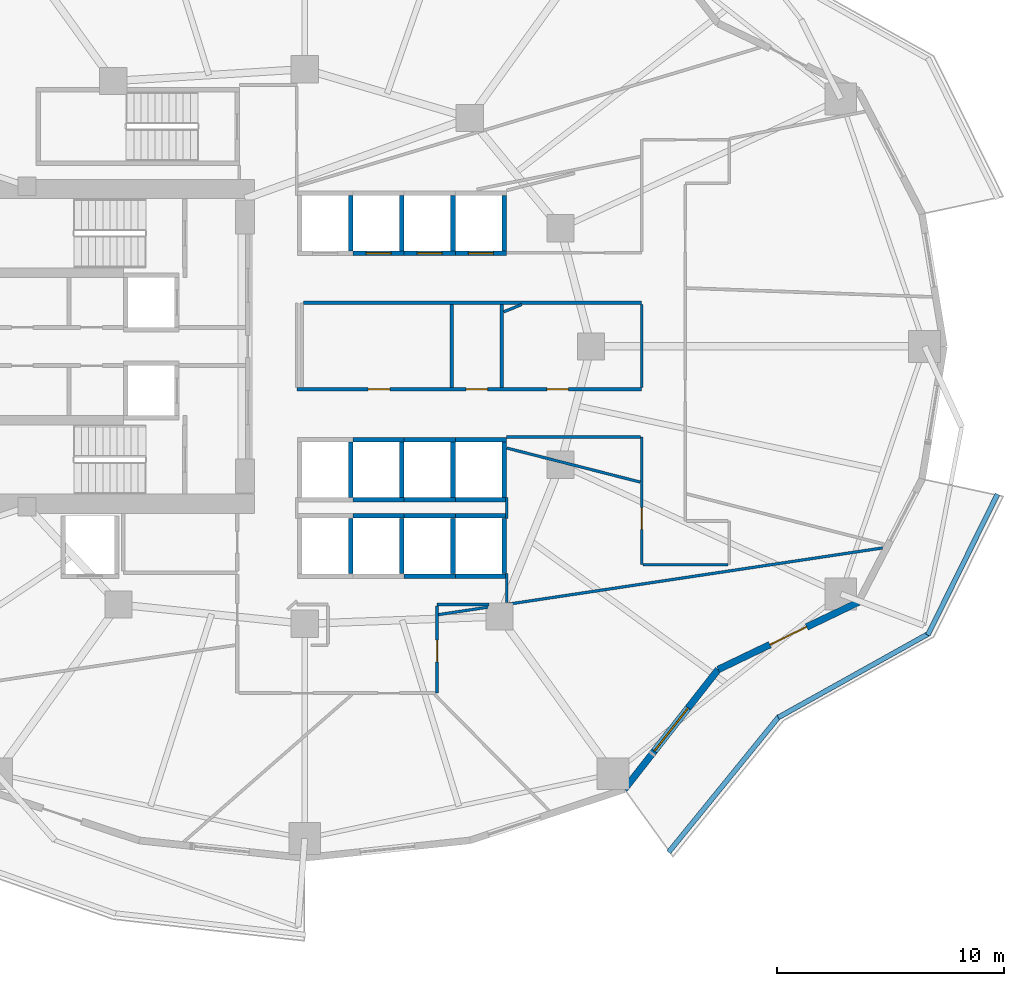
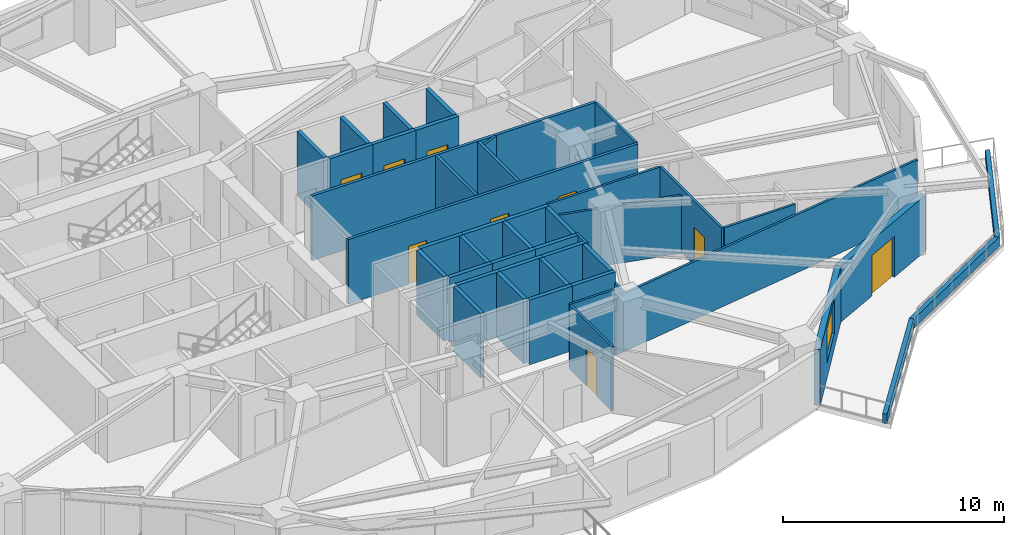
# One storey, part 8 of 14: 47 walls, 9 doors, 1 window, 10 openings.
"""IFC4 building model written with IfcOpenShell, lengths in metres."""

from ifc_helpers import new_model, si_unit, direction, frame, frame_2d, origin, place, context, subcontext, project, spatial, rectangle, extrude, material, layer, layer_set, type_object, element, fill, save


model = new_model("IFC4")

# Units and contexts
model_context = context("Model", 3, precision=1e-05, world=origin(), true_north=direction((0.0, 1.0)))
body_context = subcontext(model_context, "Body", "Model", "MODEL_VIEW")
ifc_project = project(units=[si_unit("LENGTHUNIT", "METRE"), si_unit("AREAUNIT", "SQUARE_METRE"), si_unit("VOLUMEUNIT", "CUBIC_METRE"), si_unit("PLANEANGLEUNIT", "RADIAN"), si_unit("MASSUNIT", "GRAM", prefix="KILO")], contexts=[model_context])

# Site, building, storey
site_placement = place(None, origin())
site = spatial("IfcSite", under=ifc_project, at=site_placement, CompositionType="ELEMENT")
building_placement = place(site_placement, origin())
building = spatial("IfcBuilding", under=site, at=building_placement, Name="Kolvaren Gate Tower and Convention Centre", CompositionType="ELEMENT")
storey_placement = place(building_placement, frame((0.0, 0.0, 45.75)))
storey = spatial("IfcBuildingStorey", under=building, at=storey_placement, Name="L10", CompositionType="ELEMENT", Elevation=45.75)

# Wall
ifc_material_1 = material(Name="Fire-Rated Acoustic Gypsum Stud Partition", Category="gypsum")
ifc_layer_1 = layer(ifc_material_1, 0.1201171875)
ifc_layer_set_1 = layer_set([ifc_layer_1], Name="Fire-Rated Acoustic Gypsum Stud Partition")
wall_type_1 = type_object("IfcWallType", Name="ARCH-WL-PART-120", PredefinedType="PARTITIONING", material=ifc_layer_set_1)
wall_1_placement = place(storey_placement, frame((35.949951171875, 15.64990234375, 0.0), z_axis=(0.0, 0.0, 1.0), x_axis=(1.0, 0.0, 0.0)))
element("IfcWall", 1, at=wall_1_placement, inside=storey, type_object=wall_type_1, Name="Interior Partition WL-L10-INT-018", PredefinedType="PARTITIONING", context=body_context, shape_type="SweptSolid", body=[
    extrude(rectangle(XDim=2.291015625, YDim=0.1201171875, at=frame_2d((1.1455078125, 0.0))), origin(), (0.0, 0.0, 1.0), 3.570068359375),
])

# Wall, opening, door
wall_2_placement = place(storey_placement, frame((35.949951171875, 11.75, 0.0), z_axis=(0.0, 0.0, 1.0), x_axis=(0.0, 1.0, 0.0)))
wall_2 = element("IfcWall", 2, at=wall_2_placement, inside=storey, type_object=wall_type_1, Name="Interior Partition WL-L10-INT-019", PredefinedType="PARTITIONING", context=body_context, shape_type="SweptSolid", body=[
    extrude(rectangle(XDim=3.837890625, YDim=0.1201171875, at=frame_2d((1.9189453125, 0.0))), origin(), (0.0, 0.0, 1.0), 3.570068359375),
])
opening_1_placement = place(wall_2_placement, frame((1.376220703125, 0.0, 0.0)))
opening_1 = element("IfcOpeningElement", 3, at=opening_1_placement, cuts=wall_2, Name="Opening DR-01", PredefinedType="OPENING", context=body_context, shape_type="SweptSolid", body=[
    extrude(rectangle(XDim=0.949951171875, YDim=2.10009765625, at=frame_2d((0.47509765625, 1.050048828125))), frame((0.0, 0.070068359375, 0.0), z_axis=(0.0, -1.0, 0.0), x_axis=(1.0, 0.0, 0.0)), (0.0, 0.0, 1.0), 0.14013671875),
])
ifc_material_2 = material(Name="Painted Architectural Steelwork ASTM A500 Grade C 345 MPa", Category="steel")
door_type_1 = type_object("IfcDoorType", Name="ARCH-DR-RISER-950", OperationType="SINGLE_SWING_RIGHT", PredefinedType="DOOR", material=ifc_material_2)
door_1_placement = place(opening_1_placement, origin())
door_1 = element("IfcDoor", 4, at=door_1_placement, inside=storey, type_object=door_type_1, Name="Staff Dining and Bistro Cafe Door", OperationType="SINGLE_SWING_LEFT", OverallHeight=2.10009765625, OverallWidth=0.949951171875, PredefinedType="DOOR", context=body_context, shape_type="SweptSolid", body=[
    extrude(rectangle(XDim=0.949951171875, YDim=2.10009765625, at=frame_2d((0.47509765625, 1.050048828125))), frame((0.0, 0.02490234375, 0.0), z_axis=(0.0, -1.0, 0.0), x_axis=(1.0, 0.0, 0.0)), (0.0, 0.0, 1.0), 0.050048828125),
])
fill(opening_1, door_1)

wall_3_placement = place(storey_placement, frame((44.949951171875, 17.39990234375, 0.0), z_axis=(0.0, 0.0, 1.0), x_axis=(0.0, 1.0, 0.0)))
wall_3 = element("IfcWall", 5, at=wall_3_placement, inside=storey, type_object=wall_type_1, Name="Interior Partition WL-L10-INT-027", PredefinedType="PARTITIONING", context=body_context, shape_type="SweptSolid", body=[
    extrude(rectangle(XDim=5.6201171875, YDim=0.1201171875, at=frame_2d((2.81005859375, 0.0))), origin(), (0.0, 0.0, 1.0), 3.570068359375),
])
opening_2_placement = place(wall_3_placement, frame((1.5546875, 0.0, 0.0)))
opening_2 = element("IfcOpeningElement", 6, at=opening_2_placement, cuts=wall_3, Name="Opening DR-01", PredefinedType="OPENING", context=body_context, shape_type="SweptSolid", body=[
    extrude(rectangle(XDim=0.949951171875, YDim=2.10009765625, at=frame_2d((0.47509765625, 1.050048828125))), frame((0.0, 0.070068359375, 0.0), z_axis=(0.0, -1.0, 0.0), x_axis=(1.0, 0.0, 0.0)), (0.0, 0.0, 1.0), 0.14013671875),
])
door_2_placement = place(opening_2_placement, origin())
door_2 = element("IfcDoor", 7, at=door_2_placement, inside=storey, type_object=door_type_1, Name="Project Review Meeting Room Door", OperationType="SINGLE_SWING_RIGHT", OverallHeight=2.10009765625, OverallWidth=0.949951171875, PredefinedType="DOOR", context=body_context, shape_type="SweptSolid", body=[
    extrude(rectangle(XDim=0.949951171875, YDim=2.10009765625, at=frame_2d((0.47509765625, 1.050048828125))), frame((0.0, 0.02490234375, 0.0), z_axis=(0.0, -1.0, 0.0), x_axis=(1.0, 0.0, 0.0)), (0.0, 0.0, 1.0), 0.050048828125),
])
fill(opening_2, door_2)

# Walls
wall_4_placement = place(storey_placement, frame((44.949951171875, 25.197021484375, 0.0), z_axis=(0.0, 0.0, 1.0), x_axis=(0.0, 1.0, 0.0)))
element("IfcWall", 8, at=wall_4_placement, inside=storey, type_object=wall_type_1, Name="Interior Partition WL-L10-INT-028", PredefinedType="PARTITIONING", context=body_context, shape_type="SweptSolid", body=[
    extrude(rectangle(XDim=3.64599609375, YDim=0.1201171875, at=frame_2d((1.822998046875, 0.0))), origin(), (0.0, 0.0, 1.0), 3.570068359375),
])
wall_5_placement = place(storey_placement, frame((45.011962890625, 17.39990234375, 0.0), z_axis=(0.0, 0.0, 1.0), x_axis=(1.0, 0.0, 0.0)))
element("IfcWall", 9, at=wall_5_placement, inside=storey, type_object=wall_type_1, Name="Interior Partition WL-L10-INT-036", PredefinedType="PARTITIONING", context=body_context, shape_type="SweptSolid", body=[
    extrude(rectangle(XDim=3.72607421875, YDim=0.1201171875, at=frame_2d((1.863037109375, 0.0))), origin(), (0.0, 0.0, 1.0), 3.570068359375),
])
wall_6_placement = place(storey_placement, frame((39.0, 23.02001953125, 0.0), z_axis=(0.0, 0.0, 1.0), x_axis=(1.0, 0.0, 0.0)))
element("IfcWall", 10, at=wall_6_placement, inside=storey, type_object=wall_type_1, Name="Interior Partition WL-L10-INT-037", PredefinedType="PARTITIONING", context=body_context, shape_type="SweptSolid", body=[
    extrude(rectangle(XDim=5.887939453125, YDim=0.1201171875, at=frame_2d((2.94384765625, 0.0))), origin(), (0.0, 0.0, 1.0), 3.570068359375),
])
wall_7_placement = place(storey_placement, frame((39.02001953125, 15.741943359375, 0.0), z_axis=(0.0, 0.0, 1.0), x_axis=(0.0, 1.0, 0.0)))
element("IfcWall", 11, at=wall_7_placement, inside=storey, type_object=wall_type_1, Name="Interior Partition WL-L10-INT-038", PredefinedType="PARTITIONING", context=body_context, shape_type="SweptSolid", body=[
    extrude(rectangle(XDim=1.26806640625, YDim=0.1201171875, at=frame_2d((0.634033203125, 0.0))), origin(), (0.0, 0.0, 1.0), 2.93408203125),
])
wall_8_placement = place(storey_placement, frame((39.02001953125, 19.43994140625, 0.0), z_axis=(0.0, 0.0, 1.0), x_axis=(0.0, 1.0, 0.0)))
element("IfcWall", 12, at=wall_8_placement, inside=storey, type_object=wall_type_1, Name="Interior Partition WL-L10-INT-038 (2)", PredefinedType="PARTITIONING", context=body_context, shape_type="SweptSolid", body=[
    extrude(rectangle(XDim=0.920166015625, YDim=0.1201171875, at=frame_2d((0.4599609375, 0.0))), origin(), (0.0, 0.0, 1.0), 3.570068359375),
])
wall_9_placement = place(storey_placement, frame((39.015380859375, 22.53076171875, 0.0), z_axis=(0.0, 0.0, 1.0), x_axis=(0.968999219603, -0.247063782066, 0.0)))
element("IfcWall", 13, at=wall_9_placement, inside=storey, type_object=wall_type_1, Name="Interior Partition WL-L10-INT-046", PredefinedType="PARTITIONING", context=body_context, shape_type="SweptSolid", body=[
    extrude(rectangle(XDim=6.060546875, YDim=0.1201171875, at=frame_2d((3.0302734375, 0.0))), origin(), (0.0, 0.0, 1.0), 3.205078125),
])
wall_10_placement = place(storey_placement, frame((36.011962890625, 15.201904296875, 0.0), z_axis=(0.0, 0.0, 1.0), x_axis=(0.988905340033, 0.148547058049, 0.0)))
element("IfcWall", 14, at=wall_10_placement, inside=storey, type_object=wall_type_1, Name="Interior Partition WL-L10-INT-049", PredefinedType="PARTITIONING", context=body_context, shape_type="SweptSolid", body=[
    extrude(rectangle(XDim=2.19580078125, YDim=0.1201171875, at=frame_2d((1.097900390625, 0.0))), origin(), (0.0, 0.0, 1.0), 2.93408203125),
])
wall_11_placement = place(storey_placement, frame((38.240966796875, 15.53662109375, 0.0), z_axis=(0.0, 0.0, 1.0), x_axis=(0.988910037188, 0.148515784849, 0.0)))
element("IfcWall", 15, at=wall_11_placement, inside=storey, type_object=wall_type_1, Name="Interior Partition WL-L10-INT-049 (2)", PredefinedType="PARTITIONING", context=body_context, shape_type="SweptSolid", body=[
    extrude(rectangle(XDim=17.4990234375, YDim=0.1201171875, at=frame_2d((8.74951171875, 0.0))), origin(), (0.0, 0.0, 1.0), 3.205078125),
])
wall_12_placement = place(storey_placement, frame((38.876953125, 28.522216796875, 0.0), z_axis=(0.0, 0.0, 1.0), x_axis=(0.927133255937, 0.374731805076, 0.0)))
element("IfcWall", 16, at=wall_12_placement, inside=storey, type_object=wall_type_1, Name="Interior Partition WL-L10-INT-053", PredefinedType="PARTITIONING", context=body_context, shape_type="SweptSolid", body=[
    extrude(rectangle(XDim=0.856201171875, YDim=0.1201171875, at=frame_2d((0.42822265625, 0.0))), origin(), (0.0, 0.0, 1.0), 3.570068359375),
])
ifc_material_3 = material(Name="Piedmont Cream Honed Limestone Cladding", Category="masonry")
ifc_layer_2 = layer(ifc_material_3, 0.219970703125)
ifc_layer_set_2 = layer_set([ifc_layer_2], Name="Piedmont Cream Honed Limestone Cladding")
wall_type_2 = type_object("IfcWallType", Name="ARCH-WL-PLANTER-220", PredefinedType="PARAPET", material=ifc_layer_set_2)
wall_13_placement = place(storey_placement, frame((46.1357421875, 4.748779296875, 0.0), z_axis=(0.0, 0.0, 1.0), x_axis=(0.630997450658, 0.775784903993, 0.0)))
element("IfcWall", 17, at=wall_13_placement, inside=storey, type_object=wall_type_2, Name="Vertical-Forest Balcony Stone Planter Kerb PK-L10-4.1", PredefinedType="PARAPET", context=body_context, shape_type="SweptSolid", body=[
    extrude(rectangle(XDim=7.7177734375, YDim=0.219970703125, at=frame_2d((3.85888671875, 0.0))), origin(), (0.0, 0.0, 1.0), 0.52001953125),
])
wall_14_placement = place(storey_placement, frame((50.959228515625, 10.677978515625, 0.0), z_axis=(0.0, 0.0, 1.0), x_axis=(0.873500119739, 0.48682393205, 0.0)))
element("IfcWall", 18, at=wall_14_placement, inside=storey, type_object=wall_type_2, Name="Vertical-Forest Balcony Stone Planter Kerb PK-L10-4.2", PredefinedType="PARAPET", context=body_context, shape_type="SweptSolid", body=[
    extrude(rectangle(XDim=7.56201171875, YDim=0.219970703125, at=frame_2d((3.781005859375, 0.0))), origin(), (0.0, 0.0, 1.0), 0.52001953125),
])
wall_15_placement = place(storey_placement, frame((57.538818359375, 14.303466796875, 0.0), z_axis=(0.0, 0.0, 1.0), x_axis=(0.443578479433, 0.8962355341, 0.0)))
element("IfcWall", 19, at=wall_15_placement, inside=storey, type_object=wall_type_2, Name="Vertical-Forest Balcony Stone Planter Kerb PK-L10-4.3", PredefinedType="PARAPET", context=body_context, shape_type="SweptSolid", body=[
    extrude(rectangle(XDim=6.9111328125, YDim=0.219970703125, at=frame_2d((3.45556640625, 0.0))), origin(), (0.0, 0.0, 1.0), 0.52001953125),
])
ifc_material_4 = material(Name="Autoclaved Aerated Masonry Blockwork Class 4 (4.0 MPa)", Category="masonry")
ifc_layer_3 = layer(ifc_material_4, 0.199951171875)
ifc_layer_set_3 = layer_set([ifc_layer_3], Name="Autoclaved Aerated Masonry Blockwork Class 4 (4.0 MPa)")
wall_type_3 = type_object("IfcWallType", Name="ARCH-WL-SHAFT-200", PredefinedType="SOLIDWALL", material=ifc_layer_set_3)
wall_16_placement = place(storey_placement, frame((32.14990234375, 31.2099609375, 0.0), z_axis=(0.0, 0.0, 1.0), x_axis=(0.0, 1.0, 0.0)))
element("IfcWall", 20, at=wall_16_placement, inside=storey, type_object=wall_type_3, Name="Elevator PL-01 L10 Fire Shaft Wall E", PredefinedType="SOLIDWALL", context=body_context, shape_type="SweptSolid", body=[
    extrude(rectangle(XDim=2.429931640625, YDim=0.199951171875, at=frame_2d((1.21484375, 0.0))), origin(), (0.0, 0.0, 1.0), 3.570068359375),
])

# Wall, opening, door
wall_17_placement = place(storey_placement, frame((32.25, 31.10009765625, 0.0), z_axis=(0.0, 0.0, 1.0), x_axis=(1.0, 0.0, 0.0)))
wall_17 = element("IfcWall", 21, at=wall_17_placement, inside=storey, type_object=wall_type_3, Name="Elevator PL-02 L10 Fire Shaft Wall S", PredefinedType="SOLIDWALL", context=body_context, shape_type="SweptSolid", body=[
    extrude(rectangle(XDim=2.25, YDim=0.199951171875, at=frame_2d((1.125, 0.0))), origin(), (0.0, 0.0, 1.0), 3.570068359375),
])
opening_3_placement = place(wall_17_placement, frame((0.574951171875, 0.0, 0.0)))
opening_3 = element("IfcOpeningElement", 22, at=opening_3_placement, cuts=wall_17, Name="Opening LD", PredefinedType="OPENING", context=body_context, shape_type="SweptSolid", body=[
    extrude(rectangle(XDim=1.10009765625, YDim=2.199951171875, at=frame_2d((0.550048828125, 1.10009765625))), frame((0.0, 0.10986328125, 0.0), z_axis=(0.0, -1.0, 0.0), x_axis=(1.0, 0.0, 0.0)), (0.0, 0.0, 1.0), 0.219970703125),
])
ifc_material_5 = material(Name="Brushed Stainless Steel Grade 316L", Category="steel")
door_type_2 = type_object("IfcDoorType", Name="ARCH-DR-LIFT-1100", OperationType="SLIDING_TO_LEFT", PredefinedType="DOOR", material=ifc_material_5)
door_3_placement = place(opening_3_placement, origin())
door_3 = element("IfcDoor", 23, at=door_3_placement, inside=storey, type_object=door_type_2, Name="Elevator PL-02 L10 Sliding Landing Door", OperationType="SLIDING_TO_LEFT", OverallHeight=2.199951171875, OverallWidth=1.10009765625, PredefinedType="DOOR", context=body_context, shape_type="SweptSolid", body=[
    extrude(rectangle(XDim=1.10009765625, YDim=2.199951171875, at=frame_2d((0.550048828125, 1.10009765625))), frame((0.0, 0.02490234375, 0.0), z_axis=(0.0, -1.0, 0.0), x_axis=(1.0, 0.0, 0.0)), (0.0, 0.0, 1.0), 0.050048828125),
])
fill(opening_3, door_3)

# Wall
wall_18_placement = place(storey_placement, frame((34.39990234375, 31.2099609375, 0.0), z_axis=(0.0, 0.0, 1.0), x_axis=(0.0, 1.0, 0.0)))
element("IfcWall", 24, at=wall_18_placement, inside=storey, type_object=wall_type_3, Name="Elevator PL-02 L10 Fire Shaft Wall E", PredefinedType="SOLIDWALL", context=body_context, shape_type="SweptSolid", body=[
    extrude(rectangle(XDim=2.429931640625, YDim=0.199951171875, at=frame_2d((1.21484375, 0.0))), origin(), (0.0, 0.0, 1.0), 3.570068359375),
])

# Wall, opening, door
wall_19_placement = place(storey_placement, frame((34.5, 31.10009765625, 0.0), z_axis=(0.0, 0.0, 1.0), x_axis=(1.0, 0.0, 0.0)))
wall_19 = element("IfcWall", 25, at=wall_19_placement, inside=storey, type_object=wall_type_3, Name="Elevator PL-03 L10 Fire Shaft Wall S", PredefinedType="SOLIDWALL", context=body_context, shape_type="SweptSolid", body=[
    extrude(rectangle(XDim=2.25, YDim=0.199951171875, at=frame_2d((1.125, 0.0))), origin(), (0.0, 0.0, 1.0), 3.570068359375),
])
opening_4_placement = place(wall_19_placement, frame((0.574951171875, 0.0, 0.0)))
opening_4 = element("IfcOpeningElement", 26, at=opening_4_placement, cuts=wall_19, Name="Opening LD", PredefinedType="OPENING", context=body_context, shape_type="SweptSolid", body=[
    extrude(rectangle(XDim=1.10009765625, YDim=2.199951171875, at=frame_2d((0.550048828125, 1.10009765625))), frame((0.0, 0.10986328125, 0.0), z_axis=(0.0, -1.0, 0.0), x_axis=(1.0, 0.0, 0.0)), (0.0, 0.0, 1.0), 0.219970703125),
])
door_4_placement = place(opening_4_placement, origin())
door_4 = element("IfcDoor", 27, at=door_4_placement, inside=storey, type_object=door_type_2, Name="Elevator PL-03 L10 Sliding Landing Door", OperationType="SLIDING_TO_LEFT", OverallHeight=2.199951171875, OverallWidth=1.10009765625, PredefinedType="DOOR", context=body_context, shape_type="SweptSolid", body=[
    extrude(rectangle(XDim=1.10009765625, YDim=2.199951171875, at=frame_2d((0.550048828125, 1.10009765625))), frame((0.0, 0.02490234375, 0.0), z_axis=(0.0, -1.0, 0.0), x_axis=(1.0, 0.0, 0.0)), (0.0, 0.0, 1.0), 0.050048828125),
])
fill(opening_4, door_4)

# Wall
wall_20_placement = place(storey_placement, frame((36.64990234375, 31.2099609375, 0.0), z_axis=(0.0, 0.0, 1.0), x_axis=(0.0, 1.0, 0.0)))
element("IfcWall", 28, at=wall_20_placement, inside=storey, type_object=wall_type_3, Name="Elevator PL-03 L10 Fire Shaft Wall E", PredefinedType="SOLIDWALL", context=body_context, shape_type="SweptSolid", body=[
    extrude(rectangle(XDim=2.429931640625, YDim=0.199951171875, at=frame_2d((1.21484375, 0.0))), origin(), (0.0, 0.0, 1.0), 3.570068359375),
])

# Wall, opening, door
wall_21_placement = place(storey_placement, frame((36.75, 31.10009765625, 0.0), z_axis=(0.0, 0.0, 1.0), x_axis=(1.0, 0.0, 0.0)))
wall_21 = element("IfcWall", 29, at=wall_21_placement, inside=storey, type_object=wall_type_3, Name="Elevator PL-04 L10 Fire Shaft Wall S", PredefinedType="SOLIDWALL", context=body_context, shape_type="SweptSolid", body=[
    extrude(rectangle(XDim=2.25, YDim=0.199951171875, at=frame_2d((1.125, 0.0))), origin(), (0.0, 0.0, 1.0), 3.570068359375),
])
opening_5_placement = place(wall_21_placement, frame((0.574951171875, 0.0, 0.0)))
opening_5 = element("IfcOpeningElement", 30, at=opening_5_placement, cuts=wall_21, Name="Opening LD", PredefinedType="OPENING", context=body_context, shape_type="SweptSolid", body=[
    extrude(rectangle(XDim=1.10009765625, YDim=2.199951171875, at=frame_2d((0.550048828125, 1.10009765625))), frame((0.0, 0.10986328125, 0.0), z_axis=(0.0, -1.0, 0.0), x_axis=(1.0, 0.0, 0.0)), (0.0, 0.0, 1.0), 0.219970703125),
])
door_5_placement = place(opening_5_placement, origin())
door_5 = element("IfcDoor", 31, at=door_5_placement, inside=storey, type_object=door_type_2, Name="Elevator PL-04 L10 Sliding Landing Door", OperationType="SLIDING_TO_LEFT", OverallHeight=2.199951171875, OverallWidth=1.10009765625, PredefinedType="DOOR", context=body_context, shape_type="SweptSolid", body=[
    extrude(rectangle(XDim=1.10009765625, YDim=2.199951171875, at=frame_2d((0.550048828125, 1.10009765625))), frame((0.0, 0.02490234375, 0.0), z_axis=(0.0, -1.0, 0.0), x_axis=(1.0, 0.0, 0.0)), (0.0, 0.0, 1.0), 0.050048828125),
])
fill(opening_5, door_5)

# Walls
for number, where, z_axis, x_axis, name in (
    (32, (38.89990234375, 31.2099609375, 0.0), (0.0, 0.0, 1.0), (0.0, 1.0, 0.0), "Elevator PL-04 L10 Fire Shaft Wall E"),
    (33, (32.14990234375, 17.010009765625, 0.0), (0.0, 0.0, 1.0), (0.0, 1.0, 0.0), "Elevator PL-05 L10 Fire Shaft Wall E"),
):
    element("IfcWall", number, at=place(storey_placement, frame(where, z_axis=z_axis, x_axis=x_axis)), inside=storey, type_object=wall_type_3, Name=name, PredefinedType="SOLIDWALL", context=body_context, shape_type="SweptSolid", body=[
        extrude(rectangle(XDim=2.429931640625, YDim=0.199951171875, at=frame_2d((1.21484375, 0.0))), origin(), (0.0, 0.0, 1.0), 3.570068359375),
    ])
wall_22_placement = place(storey_placement, frame((32.25, 19.550048828125, 0.0), z_axis=(0.0, 0.0, 1.0), x_axis=(1.0, 0.0, 0.0)))
element("IfcWall", 34, at=wall_22_placement, inside=storey, type_object=wall_type_3, Name="Elevator PL-06 L10 Fire Shaft Wall N", PredefinedType="SOLIDWALL", context=body_context, shape_type="SweptSolid", body=[
    extrude(rectangle(XDim=2.25, YDim=0.199951171875, at=frame_2d((1.125, 0.0))), origin(), (0.0, 0.0, 1.0), 3.570068359375),
])
wall_23_placement = place(storey_placement, frame((34.39990234375, 17.010009765625, 0.0), z_axis=(0.0, 0.0, 1.0), x_axis=(0.0, 1.0, 0.0)))
element("IfcWall", 35, at=wall_23_placement, inside=storey, type_object=wall_type_3, Name="Elevator PL-06 L10 Fire Shaft Wall E", PredefinedType="SOLIDWALL", context=body_context, shape_type="SweptSolid", body=[
    extrude(rectangle(XDim=2.429931640625, YDim=0.199951171875, at=frame_2d((1.21484375, 0.0))), origin(), (0.0, 0.0, 1.0), 3.570068359375),
])
for number, where, z_axis, x_axis, name in (
    (36, (34.5, 19.550048828125, 0.0), (0.0, 0.0, 1.0), (1.0, 0.0, 0.0), "Elevator PL-07 L10 Fire Shaft Wall N"),
    (37, (34.5, 16.89990234375, 0.0), (0.0, 0.0, 1.0), (1.0, 0.0, 0.0), "Elevator PL-07 L10 Fire Shaft Wall S"),
):
    element("IfcWall", number, at=place(storey_placement, frame(where, z_axis=z_axis, x_axis=x_axis)), inside=storey, type_object=wall_type_3, Name=name, PredefinedType="SOLIDWALL", context=body_context, shape_type="SweptSolid", body=[
        extrude(rectangle(XDim=2.25, YDim=0.199951171875, at=frame_2d((1.125, 0.0))), origin(), (0.0, 0.0, 1.0), 3.570068359375),
    ])
wall_24_placement = place(storey_placement, frame((36.64990234375, 17.010009765625, 0.0), z_axis=(0.0, 0.0, 1.0), x_axis=(0.0, 1.0, 0.0)))
element("IfcWall", 38, at=wall_24_placement, inside=storey, type_object=wall_type_3, Name="Elevator PL-07 L10 Fire Shaft Wall E", PredefinedType="SOLIDWALL", context=body_context, shape_type="SweptSolid", body=[
    extrude(rectangle(XDim=2.429931640625, YDim=0.199951171875, at=frame_2d((1.21484375, 0.0))), origin(), (0.0, 0.0, 1.0), 3.570068359375),
])
for number, where, z_axis, x_axis, name in (
    (39, (36.75, 19.550048828125, 0.0), (0.0, 0.0, 1.0), (1.0, 0.0, 0.0), "Elevator PL-08 L10 Fire Shaft Wall N"),
    (40, (36.75, 16.89990234375, 0.0), (0.0, 0.0, 1.0), (1.0, 0.0, 0.0), "Elevator PL-08 L10 Fire Shaft Wall S"),
):
    element("IfcWall", number, at=place(storey_placement, frame(where, z_axis=z_axis, x_axis=x_axis)), inside=storey, type_object=wall_type_3, Name=name, PredefinedType="SOLIDWALL", context=body_context, shape_type="SweptSolid", body=[
        extrude(rectangle(XDim=2.25, YDim=0.199951171875, at=frame_2d((1.125, 0.0))), origin(), (0.0, 0.0, 1.0), 3.570068359375),
    ])
for number, where, z_axis, x_axis, name in (
    (41, (38.89990234375, 17.010009765625, 0.0), (0.0, 0.0, 1.0), (0.0, 1.0, 0.0), "Elevator PL-08 L10 Fire Shaft Wall E"),
    (42, (32.14990234375, 20.360107421875, 0.0), (0.0, 0.0, 1.0), (0.0, 1.0, 0.0), "Elevator PL-09 L10 Fire Shaft Wall E"),
):
    element("IfcWall", number, at=place(storey_placement, frame(where, z_axis=z_axis, x_axis=x_axis)), inside=storey, type_object=wall_type_3, Name=name, PredefinedType="SOLIDWALL", context=body_context, shape_type="SweptSolid", body=[
        extrude(rectangle(XDim=2.429931640625, YDim=0.199951171875, at=frame_2d((1.21484375, 0.0))), origin(), (0.0, 0.0, 1.0), 3.570068359375),
    ])
for number, where, z_axis, x_axis, name in (
    (43, (32.25, 22.89990234375, 0.0), (0.0, 0.0, 1.0), (1.0, 0.0, 0.0), "Elevator PL-10 L10 Fire Shaft Wall N"),
    (44, (32.25, 20.25, 0.0), (0.0, 0.0, 1.0), (1.0, 0.0, 0.0), "Elevator PL-10 L10 Fire Shaft Wall S"),
):
    element("IfcWall", number, at=place(storey_placement, frame(where, z_axis=z_axis, x_axis=x_axis)), inside=storey, type_object=wall_type_3, Name=name, PredefinedType="SOLIDWALL", context=body_context, shape_type="SweptSolid", body=[
        extrude(rectangle(XDim=2.25, YDim=0.199951171875, at=frame_2d((1.125, 0.0))), origin(), (0.0, 0.0, 1.0), 3.570068359375),
    ])
wall_25_placement = place(storey_placement, frame((34.39990234375, 20.360107421875, 0.0), z_axis=(0.0, 0.0, 1.0), x_axis=(0.0, 1.0, 0.0)))
element("IfcWall", 45, at=wall_25_placement, inside=storey, type_object=wall_type_3, Name="Elevator PL-10 L10 Fire Shaft Wall E", PredefinedType="SOLIDWALL", context=body_context, shape_type="SweptSolid", body=[
    extrude(rectangle(XDim=2.429931640625, YDim=0.199951171875, at=frame_2d((1.21484375, 0.0))), origin(), (0.0, 0.0, 1.0), 3.570068359375),
])
for number, where, z_axis, x_axis, name in (
    (46, (34.5, 22.89990234375, 0.0), (0.0, 0.0, 1.0), (1.0, 0.0, 0.0), "Elevator PL-11 L10 Fire Shaft Wall N"),
    (47, (34.5, 20.25, 0.0), (0.0, 0.0, 1.0), (1.0, 0.0, 0.0), "Elevator PL-11 L10 Fire Shaft Wall S"),
):
    element("IfcWall", number, at=place(storey_placement, frame(where, z_axis=z_axis, x_axis=x_axis)), inside=storey, type_object=wall_type_3, Name=name, PredefinedType="SOLIDWALL", context=body_context, shape_type="SweptSolid", body=[
        extrude(rectangle(XDim=2.25, YDim=0.199951171875, at=frame_2d((1.125, 0.0))), origin(), (0.0, 0.0, 1.0), 3.570068359375),
    ])
wall_26_placement = place(storey_placement, frame((36.64990234375, 20.360107421875, 0.0), z_axis=(0.0, 0.0, 1.0), x_axis=(0.0, 1.0, 0.0)))
element("IfcWall", 48, at=wall_26_placement, inside=storey, type_object=wall_type_3, Name="Elevator PL-11 L10 Fire Shaft Wall E", PredefinedType="SOLIDWALL", context=body_context, shape_type="SweptSolid", body=[
    extrude(rectangle(XDim=2.429931640625, YDim=0.199951171875, at=frame_2d((1.21484375, 0.0))), origin(), (0.0, 0.0, 1.0), 3.570068359375),
])
for number, where, z_axis, x_axis, name in (
    (49, (36.75, 22.89990234375, 0.0), (0.0, 0.0, 1.0), (1.0, 0.0, 0.0), "Elevator PL-12 L10 Fire Shaft Wall N"),
    (50, (36.75, 20.25, 0.0), (0.0, 0.0, 1.0), (1.0, 0.0, 0.0), "Elevator PL-12 L10 Fire Shaft Wall S"),
):
    element("IfcWall", number, at=place(storey_placement, frame(where, z_axis=z_axis, x_axis=x_axis)), inside=storey, type_object=wall_type_3, Name=name, PredefinedType="SOLIDWALL", context=body_context, shape_type="SweptSolid", body=[
        extrude(rectangle(XDim=2.25, YDim=0.199951171875, at=frame_2d((1.125, 0.0))), origin(), (0.0, 0.0, 1.0), 3.570068359375),
    ])
wall_27_placement = place(storey_placement, frame((38.89990234375, 20.360107421875, 0.0), z_axis=(0.0, 0.0, 1.0), x_axis=(0.0, 1.0, 0.0)))
element("IfcWall", 51, at=wall_27_placement, inside=storey, type_object=wall_type_3, Name="Elevator PL-12 L10 Fire Shaft Wall E", PredefinedType="SOLIDWALL", context=body_context, shape_type="SweptSolid", body=[
    extrude(rectangle(XDim=2.429931640625, YDim=0.199951171875, at=frame_2d((1.21484375, 0.0))), origin(), (0.0, 0.0, 1.0), 3.570068359375),
])

# Wall, opening, window
ifc_layer_4 = layer(ifc_material_3, 0.300048828125)
ifc_layer_set_4 = layer_set([ifc_layer_4], Name="Piedmont Cream Honed Limestone Cladding")
wall_type_4 = type_object("IfcWallType", Name="ARCH-WL-STONE-300", PredefinedType="SOLIDWALL", material=ifc_layer_set_4)
wall_28_placement = place(storey_placement, frame((44.1875, 7.514404296875, 0.0), z_axis=(0.0, 0.0, 1.0), x_axis=(0.616421309777, 0.787416515482, 0.0)))
wall_28 = element("IfcWall", 52, at=wall_28_placement, inside=storey, type_object=wall_type_4, Name="Tower L10 Honed Stone Spandrel Wall EW-20", PredefinedType="SOLIDWALL", context=body_context, shape_type="SweptSolid", body=[
    extrude(rectangle(XDim=6.6962890625, YDim=0.300048828125, at=frame_2d((3.34814453125, 0.0))), origin(), (0.0, 0.0, 1.0), 3.093017578125),
])
opening_6_placement = place(wall_28_placement, frame((2.14794921875, 0.0, 0.85009765625)))
opening_6 = element("IfcOpeningElement", 53, at=opening_6_placement, cuts=wall_28, Name="Opening W-01", PredefinedType="OPENING", context=body_context, shape_type="SweptSolid", body=[
    extrude(rectangle(XDim=2.39990234375, YDim=1.89990234375, at=frame_2d((1.199951171875, 0.949951171875))), frame((0.0, 0.159912109375, 0.0), z_axis=(0.0, -1.0, 0.0), x_axis=(1.0, 0.0, 0.0)), (0.0, 0.0, 1.0), 0.320068359375),
])
ifc_material_6 = material(Name="Low-E Triple Insulated Glazing Unit 44 mm", Category="glass")
window_type = type_object("IfcWindowType", Name="ARCH-WN-OFF-2400", PartitioningType="SINGLE_PANEL", PredefinedType="WINDOW", material=ifc_material_6)
window_placement = place(opening_6_placement, origin())
window = element("IfcWindow", 54, at=window_placement, inside=storey, type_object=window_type, Name="Tower L10 Punched Stone Facade Window W-20", OverallHeight=1.89990234375, OverallWidth=2.39990234375, PartitioningType="SINGLE_PANEL", PredefinedType="WINDOW", context=body_context, shape_type="SweptSolid", body=[
    extrude(rectangle(XDim=2.39990234375, YDim=1.89990234375, at=frame_2d((1.199951171875, 0.949951171875))), frame((0.0, 0.030029296875, 0.0), z_axis=(0.0, -1.0, 0.0), x_axis=(1.0, 0.0, 0.0)), (0.0, 0.0, 1.0), 0.06005859375),
])
fill(opening_6, window)

# Wall, opening, door
wall_29_placement = place(storey_placement, frame((48.315185546875, 12.787109375, 0.0), z_axis=(0.0, 0.0, 1.0), x_axis=(0.901360393999, 0.433069786673, 0.0)))
wall_29 = element("IfcWall", 55, at=wall_29_placement, inside=storey, type_object=wall_type_4, Name="Tower L10 Honed Stone Spandrel Wall EW-21", PredefinedType="SOLIDWALL", context=body_context, shape_type="SweptSolid", body=[
    extrude(rectangle(XDim=6.841552734375, YDim=0.300048828125, at=frame_2d((3.4208984375, 0.0))), origin(), (0.0, 0.0, 1.0), 3.093017578125),
])
opening_7_placement = place(wall_29_placement, frame((2.52099609375, 0.0, 0.0)))
opening_7 = element("IfcOpeningElement", 56, at=opening_7_placement, cuts=wall_29, Name="Opening DB-01", PredefinedType="OPENING", context=body_context, shape_type="SweptSolid", body=[
    extrude(rectangle(XDim=1.800048828125, YDim=2.25, at=frame_2d((0.89990234375, 1.125))), frame((0.0, 0.159912109375, 0.0), z_axis=(0.0, -1.0, 0.0), x_axis=(1.0, 0.0, 0.0)), (0.0, 0.0, 1.0), 0.320068359375),
])
ifc_material_7 = material(Name="Anodized Architectural Aluminium Alloy 6063-T6", Category="aluminium")
door_type_3 = type_object("IfcDoorType", Name="ARCH-DR-BALC-1800", OperationType="SLIDING_TO_LEFT", PredefinedType="DOOR", material=ifc_material_7)
door_6_placement = place(opening_7_placement, frame((1.800048828125, 0.0, 0.0), z_axis=(0.0, 0.0, 1.0), x_axis=(-1.0, 0.0, 0.0)))
door_6 = element("IfcDoor", 57, at=door_6_placement, inside=storey, type_object=door_type_3, Name="Planted Sky Terrace Access Door DB-L10-21", OperationType="SLIDING_TO_LEFT", OverallHeight=2.25, OverallWidth=1.800048828125, PredefinedType="DOOR", context=body_context, shape_type="SweptSolid", body=[
    extrude(rectangle(XDim=1.800048828125, YDim=2.25, at=frame_2d((0.89990234375, 1.125))), frame((0.0, 0.02490234375, 0.0), z_axis=(0.0, -1.0, 0.0), x_axis=(1.0, 0.0, 0.0)), (0.0, 0.0, 1.0), 0.050048828125),
])
fill(opening_7, door_6)

# Wall, openings, doors
ifc_material_8 = material(Name="Moisture-Resistant Cement-Board Acoustic Partition", Category="gypsum")
ifc_layer_5 = layer(ifc_material_8, 0.14990234375)
ifc_layer_set_5 = layer_set([ifc_layer_5], Name="Moisture-Resistant Cement-Board Acoustic Partition")
wall_type_5 = type_object("IfcWallType", Name="ARCH-WL-WET-150", PredefinedType="PARTITIONING", material=ifc_layer_set_5)
wall_30_placement = place(storey_placement, frame((29.780029296875, 25.1201171875, 0.0), z_axis=(0.0, 0.0, 1.0), x_axis=(1.0, 0.0, 0.0)))
wall_30 = element("IfcWall", 58, at=wall_30_placement, inside=storey, type_object=wall_type_5, Name="Interior Partition WL-L10-INT-012", PredefinedType="PARTITIONING", context=body_context, shape_type="SweptSolid", body=[
    extrude(rectangle(XDim=15.169921875, YDim=0.14990234375, at=frame_2d((7.5849609375, 0.0))), origin(), (0.0, 0.0, 1.0), 3.570068359375),
])
opening_8_placement = place(wall_30_placement, frame((3.139892578125, 0.0, 0.0)))
opening_8 = element("IfcOpeningElement", 59, at=opening_8_placement, cuts=wall_30, Name="Opening DR-01", PredefinedType="OPENING", context=body_context, shape_type="SweptSolid", body=[
    extrude(rectangle(XDim=0.949951171875, YDim=2.10009765625, at=frame_2d((0.47509765625, 1.050048828125))), frame((0.0, 0.0849609375, 0.0), z_axis=(0.0, -1.0, 0.0), x_axis=(1.0, 0.0, 0.0)), (0.0, 0.0, 1.0), 0.169921875),
])
opening_9_placement = place(wall_30_placement, frame((7.445068359375, 0.0, 0.0)))
opening_9 = element("IfcOpeningElement", 60, at=opening_9_placement, cuts=wall_30, Name="Opening DR-01", PredefinedType="OPENING", context=body_context, shape_type="SweptSolid", body=[
    extrude(rectangle(XDim=0.949951171875, YDim=2.10009765625, at=frame_2d((0.47509765625, 1.050048828125))), frame((0.0, 0.0849609375, 0.0), z_axis=(0.0, -1.0, 0.0), x_axis=(1.0, 0.0, 0.0)), (0.0, 0.0, 1.0), 0.169921875),
])
opening_10_placement = place(wall_30_placement, frame((10.9951171875, 0.0, 0.0)))
opening_10 = element("IfcOpeningElement", 61, at=opening_10_placement, cuts=wall_30, Name="Opening DR-01", PredefinedType="OPENING", context=body_context, shape_type="SweptSolid", body=[
    extrude(rectangle(XDim=0.949951171875, YDim=2.10009765625, at=frame_2d((0.47509765625, 1.050048828125))), frame((0.0, 0.0849609375, 0.0), z_axis=(0.0, -1.0, 0.0), x_axis=(1.0, 0.0, 0.0)), (0.0, 0.0, 1.0), 0.169921875),
])
door_7_placement = place(opening_8_placement, origin())
door_7 = element("IfcDoor", 62, at=door_7_placement, inside=storey, type_object=door_type_1, Name="Accessible Universal Washroom Door", OperationType="SINGLE_SWING_RIGHT", OverallHeight=2.10009765625, OverallWidth=0.949951171875, PredefinedType="DOOR", context=body_context, shape_type="SweptSolid", body=[
    extrude(rectangle(XDim=0.949951171875, YDim=2.10009765625, at=frame_2d((0.47509765625, 1.050048828125))), frame((0.0, 0.02490234375, 0.0), z_axis=(0.0, -1.0, 0.0), x_axis=(1.0, 0.0, 0.0)), (0.0, 0.0, 1.0), 0.050048828125),
])
fill(opening_8, door_7)
door_8_placement = place(opening_9_placement, origin())
door_8 = element("IfcDoor", 63, at=door_8_placement, inside=storey, type_object=door_type_1, Name="Floor Janitor and Supply Store Door", OperationType="SINGLE_SWING_LEFT", OverallHeight=2.10009765625, OverallWidth=0.949951171875, PredefinedType="DOOR", context=body_context, shape_type="SweptSolid", body=[
    extrude(rectangle(XDim=0.949951171875, YDim=2.10009765625, at=frame_2d((0.47509765625, 1.050048828125))), frame((0.0, 0.02490234375, 0.0), z_axis=(0.0, -1.0, 0.0), x_axis=(1.0, 0.0, 0.0)), (0.0, 0.0, 1.0), 0.050048828125),
])
fill(opening_9, door_8)
door_9_placement = place(opening_10_placement, origin())
door_9 = element("IfcDoor", 64, at=door_9_placement, inside=storey, type_object=door_type_1, Name="Quiet Reading Library Door", OperationType="SINGLE_SWING_RIGHT", OverallHeight=2.10009765625, OverallWidth=0.949951171875, PredefinedType="DOOR", context=body_context, shape_type="SweptSolid", body=[
    extrude(rectangle(XDim=0.949951171875, YDim=2.10009765625, at=frame_2d((0.47509765625, 1.050048828125))), frame((0.0, 0.02490234375, 0.0), z_axis=(0.0, -1.0, 0.0), x_axis=(1.0, 0.0, 0.0)), (0.0, 0.0, 1.0), 0.050048828125),
])
fill(opening_10, door_9)

# Walls
wall_31_placement = place(storey_placement, frame((30.076904296875, 28.919921875, 0.0), z_axis=(0.0, 0.0, 1.0), x_axis=(1.0, 0.0, 0.0)))
element("IfcWall", 65, at=wall_31_placement, inside=storey, type_object=wall_type_5, Name="Interior Partition WL-L10-INT-014", PredefinedType="PARTITIONING", context=body_context, shape_type="SweptSolid", body=[
    extrude(rectangle(XDim=14.873046875, YDim=0.14990234375, at=frame_2d((7.4365234375, 0.0))), origin(), (0.0, 0.0, 1.0), 3.570068359375),
])
for number, where, z_axis, x_axis, name in (
    (66, (36.60009765625, 25.197021484375, 0.0), (0.0, 0.0, 1.0), (0.0, 1.0, 0.0), "Interior Partition WL-L10-INT-015"),
    (67, (38.800048828125, 25.197021484375, 0.0), (0.0, 0.0, 1.0), (0.0, 1.0, 0.0), "Interior Partition WL-L10-INT-016"),
):
    element("IfcWall", number, at=place(storey_placement, frame(where, z_axis=z_axis, x_axis=x_axis)), inside=storey, type_object=wall_type_5, Name=name, PredefinedType="PARTITIONING", context=body_context, shape_type="SweptSolid", body=[
        extrude(rectangle(XDim=3.64599609375, YDim=0.14990234375, at=frame_2d((1.822998046875, 0.0))), origin(), (0.0, 0.0, 1.0), 3.570068359375),
    ])

save(model, "model.ifc")
